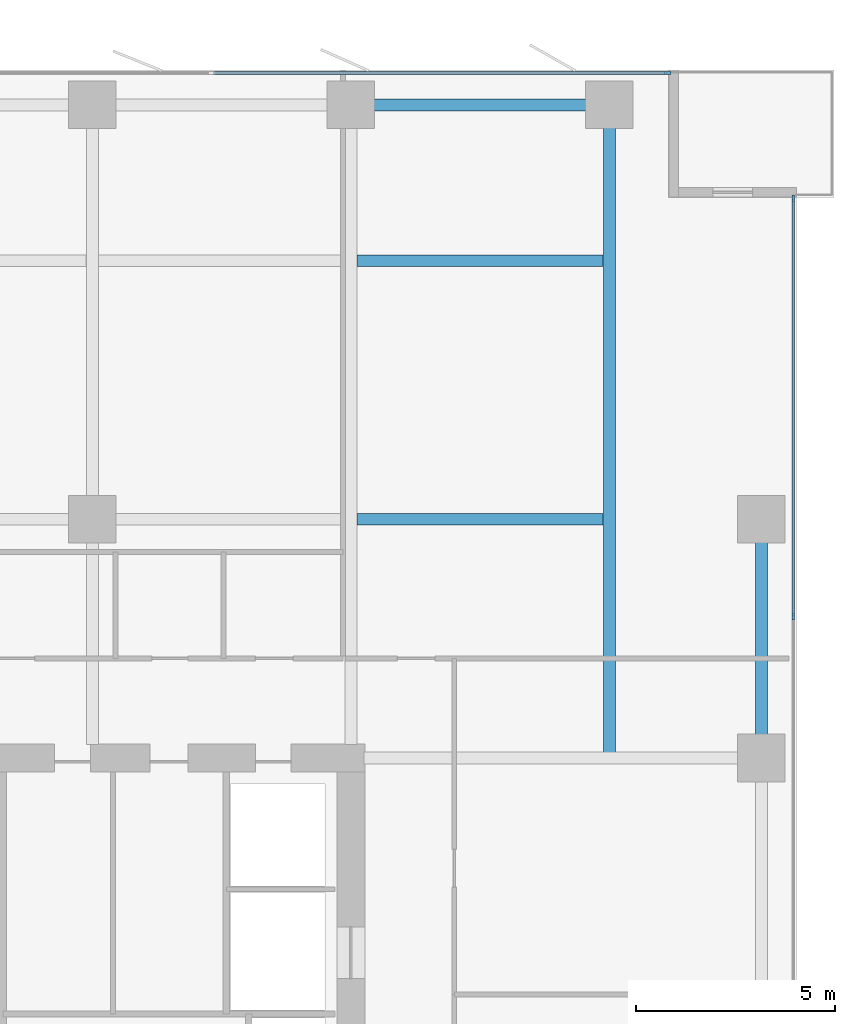
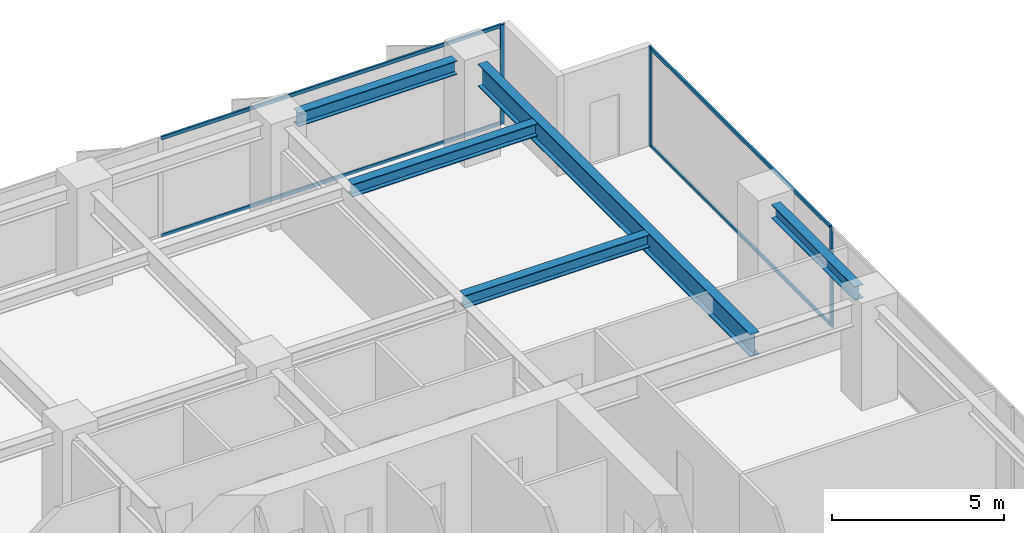
# One storey, part 11 of 20: 7 members, 5 beams, 2 elements without a shape of their own.
"""IFC4 building model written with IfcOpenShell, lengths in metres."""

from ifc_helpers import new_model, si_unit, direction, frame, origin, origin_2d, place, context, subcontext, project, spatial, rectangle, i_section, extrude, material, layer, layer_set, material_profile, profile_set, type_object, element, aggregate, save


model = new_model("IFC4")

# Units and contexts
model_context = context("Model", 3, precision=1e-05, world=origin(), true_north=direction((0.0, 1.0)))
body_context = subcontext(model_context, "Body", "Model", "MODEL_VIEW")
ifc_project = project(units=[si_unit("LENGTHUNIT", "METRE"), si_unit("AREAUNIT", "SQUARE_METRE"), si_unit("VOLUMEUNIT", "CUBIC_METRE"), si_unit("PLANEANGLEUNIT", "RADIAN"), si_unit("MASSUNIT", "GRAM", prefix="KILO")], contexts=[model_context])

# Site, building, storey
site_placement = place(None, origin())
site = spatial("IfcSite", under=ifc_project, at=site_placement, CompositionType="ELEMENT")
building_placement = place(site_placement, origin())
building = spatial("IfcBuilding", under=site, at=building_placement, Name="Putna Gate Headquarters", CompositionType="ELEMENT")
storey_placement = place(building_placement, frame((0.0, 0.0, 135.39990234375)))
storey = spatial("IfcBuildingStorey", under=building, at=storey_placement, Name="L33", CompositionType="ELEMENT", Elevation=135.39990234375)

# Beams
ifc_material_1 = material(Name="Steel S355J2", Category="steel")
ifc_material_profile_1 = material_profile(ifc_material_1, i_section(OverallWidth=0.300048828125, OverallDepth=0.800048828125, WebThickness=0.017578125, FlangeThickness=0.032958984375, at=origin_2d()), Name="Steel S355J2")
ifc_profile_set_1 = profile_set([ifc_material_profile_1], Name="Steel S355J2")
beam_type_1 = type_object("IfcBeamType", Name="BM-GIRD-P-HEB800", PredefinedType="USERDEFINED", material=ifc_profile_set_1)
beam_1_placement = place(storey_placement, frame((71.5, 33.011962890625, 3.1201171875), z_axis=(0.0, 1.0, 0.0), x_axis=(-1.0, 0.0, 0.0)))
element("IfcBeam", 1, at=beam_1_placement, inside=storey, type_object=beam_type_1, Name="L33 North Primary Girder X71", ObjectType="GIRDER", PredefinedType="USERDEFINED", context=body_context, shape_type="SweptSolid", body=[
    extrude(i_section(OverallWidth=0.300048828125, OverallDepth=0.800048828125, WebThickness=0.017578125, FlangeThickness=0.032958984375, at=origin_2d()), origin(), (0.0, 0.0, 1.0), 15.820068359375),
])
ifc_material_profile_2 = material_profile(ifc_material_1, i_section(OverallWidth=0.300048828125, OverallDepth=0.449951171875, WebThickness=0.013916015625, FlangeThickness=0.02587890625, at=origin_2d()), Name="Steel S355J2")
ifc_profile_set_2 = profile_set([ifc_material_profile_2], Name="Steel S355J2")
beam_type_2 = type_object("IfcBeamType", Name="BM-GIRD-Z5-HEB450", PredefinedType="USERDEFINED", material=ifc_profile_set_2)
for number, where, z_axis, x_axis, name in (
    (2, (65.154052734375, 39.0, 3.295166015625), (1.0, 0.0, 0.0), (0.0, 1.0, 0.0), "L33 North Secondary Beam 10"),
    (3, (65.154052734375, 45.5, 3.295166015625), (1.0, 0.0, 0.0), (0.0, 1.0, 0.0), "L33 North Secondary Beam 10"),
):
    element("IfcBeam", number, at=place(storey_placement, frame(where, z_axis=z_axis, x_axis=x_axis)), inside=storey, type_object=beam_type_2, Name=name, ObjectType="GIRDER", PredefinedType="USERDEFINED", context=body_context, shape_type="SweptSolid", body=[
        extrude(i_section(OverallWidth=0.300048828125, OverallDepth=0.449951171875, WebThickness=0.013916015625, FlangeThickness=0.02587890625, at=origin_2d()), origin(), (0.0, 0.0, 1.0), 6.19189453125),
    ])
ifc_material_profile_3 = material_profile(ifc_material_1, i_section(OverallWidth=0.300048828125, OverallDepth=0.489990234375, WebThickness=0.011962890625, FlangeThickness=0.02294921875, at=origin_2d()), Name="Steel S355J2")
ifc_profile_set_3 = profile_set([ifc_material_profile_3], Name="Steel S355J2")
beam_type_3 = type_object("IfcBeamType", Name="BM-SPAN-Z2-HEA500", PredefinedType="SPANDREL", material=ifc_profile_set_3)
beam_2_placement = place(storey_placement, frame((65.587890625, 49.419921875, 3.275146484375), z_axis=(1.0, 0.0, 0.0), x_axis=(0.0, 1.0, 0.0)))
element("IfcBeam", 4, at=beam_2_placement, inside=storey, type_object=beam_type_3, Name="L33 N Perimeter Spandrel 10", PredefinedType="SPANDREL", context=body_context, shape_type="SweptSolid", body=[
    extrude(i_section(OverallWidth=0.300048828125, OverallDepth=0.489990234375, WebThickness=0.011962890625, FlangeThickness=0.02294921875, at=origin_2d()), origin(), (0.0, 0.0, 1.0), 5.32421875),
])
beam_3_placement = place(storey_placement, frame((75.320068359375, 33.587890625, 3.275146484375), z_axis=(0.0, 1.0, 0.0), x_axis=(-1.0, 0.0, 0.0)))
element("IfcBeam", 5, at=beam_3_placement, inside=storey, type_object=beam_type_3, Name="L33 E End Spandrel 3", PredefinedType="SPANDREL", context=body_context, shape_type="SweptSolid", body=[
    extrude(i_section(OverallWidth=0.300048828125, OverallDepth=0.489990234375, WebThickness=0.011962890625, FlangeThickness=0.02294921875, at=origin_2d()), origin(), (0.0, 0.0, 1.0), 4.82421875),
])

# Curtain wall, member
ifc_material_2 = material(Name="Anodised bronze aluminium curtain wall", Category="aluminium")
ifc_layer = layer(ifc_material_2, 0.159912109375)
ifc_layer_set = layer_set([ifc_layer], Name="Anodised bronze aluminium curtain wall")
curtain_wall_type = type_object("IfcCurtainWallType", Name="CW-SYS-Z2", PredefinedType="USERDEFINED", material=ifc_layer_set)
curtain_wall_1_placement = place(storey_placement, origin())
curtain_wall_1 = element("IfcCurtainWall", 6, at=curtain_wall_1_placement, inside=storey, type_object=curtain_wall_type, Name="L33 North East Curtain Wall", ObjectType="STICK CURTAIN WALL", PredefinedType="USERDEFINED")
ifc_material_3 = material(Name="Anodised bronze aluminium EN AW-6060", Category="aluminium")
ifc_material_profile_4 = material_profile(ifc_material_3, rectangle(XDim=0.06494140625, YDim=0.159912109375, at=origin_2d()), Name="Anodised bronze aluminium EN AW-6060")
ifc_profile_set_4 = profile_set([ifc_material_profile_4], Name="Anodised bronze aluminium EN AW-6060")
member_type_1 = type_object("IfcMemberType", Name="MULL-CWM-2", PredefinedType="MULLION", material=ifc_profile_set_4)
member_1_placement = place(storey_placement, frame((72.967529296875, 50.219970703125, 0.0), z_axis=(0.0, 0.0, 1.0), x_axis=(0.0, 1.0, 0.0)))
member_1 = element("IfcMember", 7, at=member_1_placement, type_object=member_type_1, Name="CWS-2 mullion 3", PredefinedType="MULLION", context=body_context, shape_type="SweptSolid", body=[
    extrude(rectangle(XDim=0.06494140625, YDim=0.159912109375, at=origin_2d()), origin(), (0.0, 0.0, 1.0), 3.52001953125),
])

# Curtain wall, members
curtain_wall_2_placement = place(storey_placement, origin())
curtain_wall_2 = element("IfcCurtainWall", 8, at=curtain_wall_2_placement, inside=storey, type_object=curtain_wall_type, Name="L33 East Curtain Wall", ObjectType="STICK CURTAIN WALL", PredefinedType="USERDEFINED")
member_2_placement = place(storey_placement, frame((76.1201171875, 36.550048828125, 0.0), z_axis=(0.0, 0.0, 1.0), x_axis=(-1.0, 0.0, 0.0)))
member_2 = element("IfcMember", 9, at=member_2_placement, type_object=member_type_1, Name="CWS-2 mullion 4", PredefinedType="MULLION", context=body_context, shape_type="SweptSolid", body=[
    extrude(rectangle(XDim=0.06494140625, YDim=0.159912109375, at=origin_2d()), origin(), (0.0, 0.0, 1.0), 3.52001953125),
])
member_3_placement = place(storey_placement, frame((76.1201171875, 47.0673828125, 0.0), z_axis=(0.0, 0.0, 1.0), x_axis=(-1.0, 0.0, 0.0)))
member_3 = element("IfcMember", 10, at=member_3_placement, type_object=member_type_1, Name="CWS-2 mullion 5", PredefinedType="MULLION", context=body_context, shape_type="SweptSolid", body=[
    extrude(rectangle(XDim=0.06494140625, YDim=0.159912109375, at=origin_2d()), origin(), (0.0, 0.0, 1.0), 3.52001953125),
])

# Member
ifc_material_profile_5 = material_profile(ifc_material_3, rectangle(XDim=0.06494140625, YDim=0.1201171875, at=origin_2d()), Name="Anodised bronze aluminium EN AW-6060")
ifc_profile_set_5 = profile_set([ifc_material_profile_5], Name="Anodised bronze aluminium EN AW-6060")
member_type_2 = type_object("IfcMemberType", Name="TRAN-CWT-2", PredefinedType="USERDEFINED", material=ifc_profile_set_5)
member_4_placement = place(storey_placement, frame((61.532470703125, 50.219970703125, 0.03271484375), z_axis=(1.0, 0.0, 0.0), x_axis=(0.0, 1.0, 0.0)))
member_4 = element("IfcMember", 11, at=member_4_placement, type_object=member_type_2, Name="CWS-2 transom 2.1", ObjectType="TRANSOM", PredefinedType="USERDEFINED", context=body_context, shape_type="SweptSolid", body=[
    extrude(rectangle(XDim=0.06494140625, YDim=0.1201171875, at=origin_2d()), origin(), (0.0, 0.0, 1.0), 11.402587890625),
])

member_5_placement = place(storey_placement, frame((61.532470703125, 50.219970703125, 3.487548828125), z_axis=(1.0, 0.0, 0.0), x_axis=(0.0, 1.0, 0.0)))
member_5 = element("IfcMember", 12, at=member_5_placement, type_object=member_type_2, Name="CWS-2 transom 2.2", ObjectType="TRANSOM", PredefinedType="USERDEFINED", context=body_context, shape_type="SweptSolid", body=[
    extrude(rectangle(XDim=0.06494140625, YDim=0.1201171875, at=origin_2d()), origin(), (0.0, 0.0, 1.0), 11.402587890625),
])

aggregate(curtain_wall_1, [member_1, member_4, member_5])

member_6_placement = place(storey_placement, frame((76.1201171875, 36.58251953125, 0.03271484375), z_axis=(0.0, 1.0, 0.0), x_axis=(-1.0, 0.0, 0.0)))
member_6 = element("IfcMember", 13, at=member_6_placement, type_object=member_type_2, Name="CWS-2 transom 4.1", ObjectType="TRANSOM", PredefinedType="USERDEFINED", context=body_context, shape_type="SweptSolid", body=[
    extrude(rectangle(XDim=0.06494140625, YDim=0.1201171875, at=origin_2d()), origin(), (0.0, 0.0, 1.0), 10.452392578125),
])

member_7_placement = place(storey_placement, frame((76.1201171875, 36.58251953125, 3.487548828125), z_axis=(0.0, 1.0, 0.0), x_axis=(-1.0, 0.0, 0.0)))
member_7 = element("IfcMember", 14, at=member_7_placement, type_object=member_type_2, Name="CWS-2 transom 4.2", ObjectType="TRANSOM", PredefinedType="USERDEFINED", context=body_context, shape_type="SweptSolid", body=[
    extrude(rectangle(XDim=0.06494140625, YDim=0.1201171875, at=origin_2d()), origin(), (0.0, 0.0, 1.0), 10.452392578125),
])

aggregate(curtain_wall_2, [member_2, member_3, member_6, member_7])

save(model, "model.ifc")
